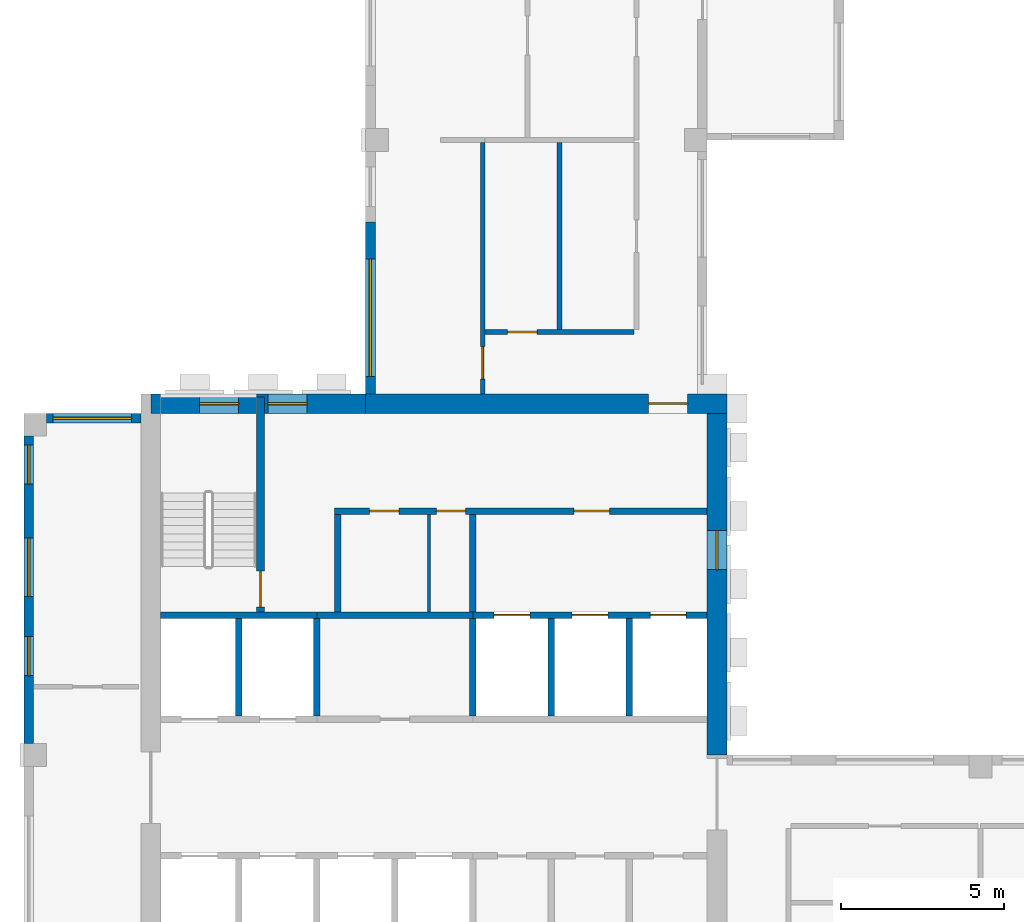
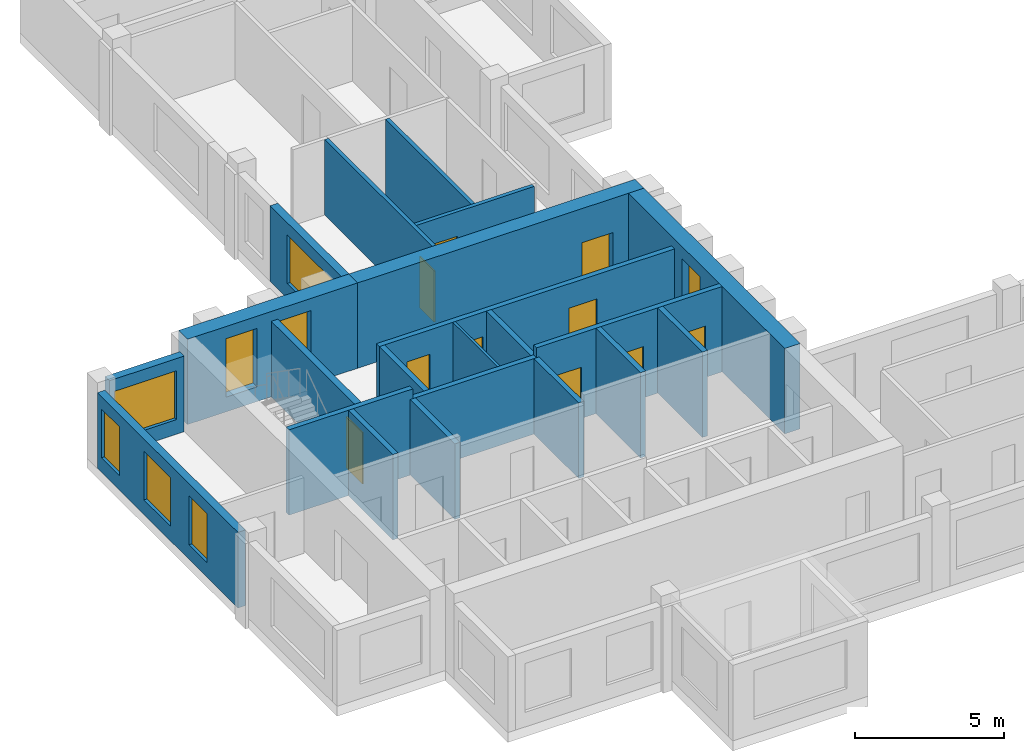
# One storey, part 3 of 10: 22 walls, 10 doors, 8 windows, 18 openings.
"""IFC4 building model written with IfcOpenShell, lengths in metres."""

from ifc_helpers import new_model, si_unit, direction, frame, frame_2d, origin, place, context, subcontext, project, spatial, rectangle, extrude, source, transform, mapped, material, layer, layer_set, type_object, element, fill, save


model = new_model("IFC4")

# Units and contexts
model_context = context("Model", 3, precision=1e-05, world=origin(), true_north=direction((0.0, 1.0)))
body_context = subcontext(model_context, "Body", "Model", "MODEL_VIEW")
ifc_project = project(units=[si_unit("LENGTHUNIT", "METRE"), si_unit("AREAUNIT", "SQUARE_METRE"), si_unit("VOLUMEUNIT", "CUBIC_METRE"), si_unit("PLANEANGLEUNIT", "RADIAN"), si_unit("MASSUNIT", "GRAM", prefix="KILO")], contexts=[model_context])

# Site, building, storey
site_placement = place(None, origin())
site = spatial("IfcSite", under=ifc_project, at=site_placement, CompositionType="ELEMENT")
building_placement = place(site_placement, origin())
building = spatial("IfcBuilding", under=site, at=building_placement, Name="Aurelian Terraces", CompositionType="ELEMENT")
storey_placement = place(building_placement, frame((0.0, 0.0, 288.0)))
storey = spatial("IfcBuildingStorey", under=building, at=storey_placement, Name="L65", CompositionType="ELEMENT", Elevation=288.0)

# Wall, opening, window
ifc_material_1 = material(Name="Terracotta rainscreen cladding", Category="masonry")
ifc_layer_1 = layer(ifc_material_1, 0.3)
ifc_layer_set_1 = layer_set([ifc_layer_1], Name="EW-300")
wall_type_1 = type_object("IfcWallType", Name="EW-300", PredefinedType="STANDARD", material=ifc_layer_set_1)
wall_1_placement = place(storey_placement, frame((10.65, 26.88, 0.0), z_axis=(0.0, 0.0, 1.0), x_axis=(0.0, -1.0, 0.0)))
wall_1 = element("IfcWall", 1, at=wall_1_placement, inside=storey, type_object=wall_type_1, Name="External wall L65 F06.16", PredefinedType="STANDARD", context=body_context, shape_type="SweptSolid", body=[
    extrude(rectangle(XDim=5.28, YDim=0.3, at=frame_2d((2.64, 0.0))), origin(), (0.0, 0.0, 1.0), 3.1),
])
shared_shape_1 = source(origin(), body_context, "Body", "SweptSolid", [
    extrude(rectangle(XDim=3.6, YDim=2.0, at=frame_2d((1.8, 1.0))), frame((0.0, 0.16, 0.0), z_axis=(0.0, -1.0, 0.0), x_axis=(1.0, 0.0, 0.0)), (0.0, 0.0, 1.0), 0.32),
])
opening_1_placement = place(wall_1_placement, frame((1.14, 0.0, 0.6)))
opening_1 = element("IfcOpeningElement", 2, at=opening_1_placement, cuts=wall_1, Name="Opening W3620", PredefinedType="OPENING", context=body_context, shape_type="MappedRepresentation", body=[
    mapped(shared_shape_1, transform((0.0, 0.0, 0.0), scale=1.0)),
])
ifc_material_2 = material(Name="Clear glazing", Category="glass")
window_type_1 = type_object("IfcWindowType", Name="W-3600x2000", PartitioningType="SINGLE_PANEL", PredefinedType="WINDOW", material=ifc_material_2)
shared_shape_2 = source(origin(), body_context, "Body", "SweptSolid", [
    extrude(rectangle(XDim=3.6, YDim=2.0, at=frame_2d((1.8, 1.0))), frame((0.0, 0.03, 0.0), z_axis=(0.0, -1.0, 0.0), x_axis=(1.0, 0.0, 0.0)), (0.0, 0.0, 1.0), 0.06),
])
window_1_placement = place(opening_1_placement, origin())
window_1 = element("IfcWindow", 3, at=window_1_placement, inside=storey, type_object=window_type_1, Name="Window L65 L65-F06-16-0", OverallHeight=2.0, OverallWidth=3.6, PartitioningType="SINGLE_PANEL", PredefinedType="WINDOW", context=body_context, shape_type="MappedRepresentation", body=[
    mapped(shared_shape_2, transform((0.0, 0.0, 0.0), scale=1.0)),
])
fill(opening_1, window_1)

# Wall, openings, windows
wall_2_placement = place(storey_placement, frame((0.15, 20.3, 0.0), z_axis=(0.0, 0.0, 1.0), x_axis=(0.0, -1.0, 0.0)))
wall_2 = element("IfcWall", 4, at=wall_2_placement, inside=storey, type_object=wall_type_1, Name="External wall L65 F12.22", PredefinedType="STANDARD", context=body_context, shape_type="SweptSolid", body=[
    extrude(rectangle(XDim=9.45, YDim=0.3, at=frame_2d((4.725, 0.0))), origin(), (0.0, 0.0, 1.0), 3.1),
])
shared_shape_3 = source(origin(), body_context, "Body", "SweptSolid", [
    extrude(rectangle(XDim=1.2, YDim=2.0, at=frame_2d((0.6, 1.0))), frame((0.0, 0.16, 0.0), z_axis=(0.0, -1.0, 0.0), x_axis=(1.0, 0.0, 0.0)), (0.0, 0.0, 1.0), 0.32),
])
opening_2_placement = place(wall_2_placement, frame((0.275, 0.0, 0.6)))
opening_2 = element("IfcOpeningElement", 5, at=opening_2_placement, cuts=wall_2, Name="Opening W1220", PredefinedType="OPENING", context=body_context, shape_type="MappedRepresentation", body=[
    mapped(shared_shape_3, transform((0.0, 0.0, 0.0), scale=1.0)),
])
shared_shape_4 = source(origin(), body_context, "Body", "SweptSolid", [
    extrude(rectangle(XDim=1.8, YDim=2.0, at=frame_2d((0.9, 1.0))), frame((0.0, 0.16, 0.0), z_axis=(0.0, -1.0, 0.0), x_axis=(1.0, 0.0, 0.0)), (0.0, 0.0, 1.0), 0.32),
])
opening_3_placement = place(wall_2_placement, frame((3.125, 0.0, 0.6)))
opening_3 = element("IfcOpeningElement", 6, at=opening_3_placement, cuts=wall_2, Name="Opening W1820", PredefinedType="OPENING", context=body_context, shape_type="MappedRepresentation", body=[
    mapped(shared_shape_4, transform((0.0, 0.0, 0.0), scale=1.0)),
])
opening_4_placement = place(wall_2_placement, frame((6.1563, 0.0, 0.6)))
opening_4 = element("IfcOpeningElement", 7, at=opening_4_placement, cuts=wall_2, Name="Opening W1220", PredefinedType="OPENING", context=body_context, shape_type="MappedRepresentation", body=[
    mapped(shared_shape_3, transform((0.0, 0.0, 0.0), scale=1.0)),
])
window_type_2 = type_object("IfcWindowType", Name="W-1200x2000", PartitioningType="SINGLE_PANEL", PredefinedType="WINDOW", material=ifc_material_2)
shared_shape_5 = source(origin(), body_context, "Body", "SweptSolid", [
    extrude(rectangle(XDim=1.2, YDim=2.0, at=frame_2d((0.6, 1.0))), frame((0.0, 0.03, 0.0), z_axis=(0.0, -1.0, 0.0), x_axis=(1.0, 0.0, 0.0)), (0.0, 0.0, 1.0), 0.06),
])
window_2_placement = place(opening_2_placement, origin())
window_2 = element("IfcWindow", 8, at=window_2_placement, inside=storey, type_object=window_type_2, Name="Window L65 L65-F12-22-0", OverallHeight=2.0, OverallWidth=1.2, PartitioningType="SINGLE_PANEL", PredefinedType="WINDOW", context=body_context, shape_type="MappedRepresentation", body=[
    mapped(shared_shape_5, transform((0.0, 0.0, 0.0), scale=1.0)),
])
fill(opening_2, window_2)
window_3_placement = place(opening_4_placement, origin())
window_3 = element("IfcWindow", 9, at=window_3_placement, inside=storey, type_object=window_type_2, Name="Window L65 L65-F12-22-G0-56", OverallHeight=2.0, OverallWidth=1.2, PartitioningType="SINGLE_PANEL", PredefinedType="WINDOW", context=body_context, shape_type="MappedRepresentation", body=[
    mapped(shared_shape_5, transform((0.0, 0.0, 0.0), scale=1.0)),
])
fill(opening_4, window_3)
window_type_3 = type_object("IfcWindowType", Name="W-1800x2000", PartitioningType="SINGLE_PANEL", PredefinedType="WINDOW", material=ifc_material_2)
shared_shape_6 = source(origin(), body_context, "Body", "SweptSolid", [
    extrude(rectangle(XDim=1.8, YDim=2.0, at=frame_2d((0.9, 1.0))), frame((0.0, 0.03, 0.0), z_axis=(0.0, -1.0, 0.0), x_axis=(1.0, 0.0, 0.0)), (0.0, 0.0, 1.0), 0.06),
])
window_4_placement = place(opening_3_placement, origin())
window_4 = element("IfcWindow", 10, at=window_4_placement, inside=storey, type_object=window_type_3, Name="Window L65 L65-F12-22-1", OverallHeight=2.0, OverallWidth=1.8, PartitioningType="SINGLE_PANEL", PredefinedType="WINDOW", context=body_context, shape_type="MappedRepresentation", body=[
    mapped(shared_shape_6, transform((0.0, 0.0, 0.0), scale=1.0)),
])
fill(opening_3, window_4)

# Wall, opening, door
ifc_material_3 = material(Name="Concrete fc' 55 MPa", Category="concrete")
ifc_layer_2 = layer(ifc_material_3, 0.6)
ifc_layer_set_2 = layer_set([ifc_layer_2], Name="CORE WALL 600 FC55")
wall_type_2 = type_object("IfcWallType", Name="CORE WALL 600 FC55", PredefinedType="SHEAR", material=ifc_layer_set_2)
shared_shape_7 = source(origin(), body_context, "Body", "SweptSolid", [
    extrude(rectangle(XDim=11.1, YDim=0.6, at=frame_2d((5.55, 0.0))), origin(), (0.0, 0.0, 1.0), 3.5),
])
wall_3_placement = place(storey_placement, frame((10.5, 21.3, 0.0), z_axis=(0.0, 0.0, 1.0), x_axis=(1.0, 0.0, 0.0)))
wall_3 = element("IfcWall", 11, at=wall_3_placement, inside=storey, type_object=wall_type_2, Name="Core wall N L65", PredefinedType="SHEAR", context=body_context, shape_type="MappedRepresentation", body=[
    mapped(shared_shape_7, transform((0.0, 0.0, 0.0), scale=1.0)),
])
shared_shape_8 = source(origin(), body_context, "Body", "SweptSolid", [
    extrude(rectangle(XDim=1.2, YDim=2.1, at=frame_2d((0.6, 1.05))), frame((0.0, 0.31, 0.0), z_axis=(0.0, -1.0, 0.0), x_axis=(1.0, 0.0, 0.0)), (0.0, 0.0, 1.0), 0.62),
])
opening_5_placement = place(wall_3_placement, frame((8.7, 0.0, 0.0)))
opening_5 = element("IfcOpeningElement", 12, at=opening_5_placement, cuts=wall_3, Name="Opening 66825", PredefinedType="OPENING", context=body_context, shape_type="MappedRepresentation", body=[
    mapped(shared_shape_8, transform((0.0, 0.0, 0.0), scale=1.0)),
])
ifc_material_4 = material(Name="Steel door leaf", Category="steel")
door_type_1 = type_object("IfcDoorType", Name="Core fire door 1200x2100", OperationType="SINGLE_SWING_LEFT", PredefinedType="DOOR", material=ifc_material_4)
shared_shape_9 = source(origin(), body_context, "Body", "SweptSolid", [
    extrude(rectangle(XDim=1.2, YDim=2.1, at=frame_2d((0.6, 1.05))), frame((0.0, 0.025, 0.0), z_axis=(0.0, -1.0, 0.0), x_axis=(1.0, 0.0, 0.0)), (0.0, 0.0, 1.0), 0.05),
])
door_1_placement = place(opening_5_placement, origin())
door_1 = element("IfcDoor", 13, at=door_1_placement, inside=storey, type_object=door_type_1, Name="Core door 66825", OperationType="SINGLE_SWING_LEFT", OverallHeight=2.1, OverallWidth=1.2, PredefinedType="DOOR", context=body_context, shape_type="MappedRepresentation", body=[
    mapped(shared_shape_9, transform((0.0, 0.0, 0.0), scale=1.0)),
])
fill(opening_5, door_1)

# Wall, opening, window
shared_shape_10 = source(origin(), body_context, "Body", "SweptSolid", [
    extrude(rectangle(XDim=10.5, YDim=0.6, at=frame_2d((5.25, 0.0))), origin(), (0.0, 0.0, 1.0), 3.5),
])
wall_4_placement = place(storey_placement, frame((21.3, 10.5, 0.0), z_axis=(0.0, 0.0, 1.0), x_axis=(0.0, 1.0, 0.0)))
wall_4 = element("IfcWall", 14, at=wall_4_placement, inside=storey, type_object=wall_type_2, Name="Core wall E L65 exposed", PredefinedType="SHEAR", context=body_context, shape_type="MappedRepresentation", body=[
    mapped(shared_shape_10, transform((0.0, 0.0, 0.0), scale=1.0)),
])
shared_shape_11 = source(origin(), body_context, "Body", "SweptSolid", [
    extrude(rectangle(XDim=1.2, YDim=2.4, at=frame_2d((0.6, 1.2))), frame((0.0, 0.31, 0.0), z_axis=(0.0, -1.0, 0.0), x_axis=(1.0, 0.0, 0.0)), (0.0, 0.0, 1.0), 0.62),
])
opening_6_placement = place(wall_4_placement, frame((5.7, 0.0, 0.6)))
opening_6 = element("IfcOpeningElement", 15, at=opening_6_placement, cuts=wall_4, Name="Opening W-CL", PredefinedType="OPENING", context=body_context, shape_type="MappedRepresentation", body=[
    mapped(shared_shape_11, transform((0.0, 0.0, 0.0), scale=1.0)),
])
ifc_material_5 = material(Name="Fire-resisting glazing", Category="glass")
window_type_4 = type_object("IfcWindowType", Name="Core lobby window 1200x2400", PartitioningType="SINGLE_PANEL", PredefinedType="WINDOW", material=ifc_material_5)
shared_shape_12 = source(origin(), body_context, "Body", "SweptSolid", [
    extrude(rectangle(XDim=1.2, YDim=2.4, at=frame_2d((0.6, 1.2))), frame((0.0, 0.03, 0.0), z_axis=(0.0, -1.0, 0.0), x_axis=(1.0, 0.0, 0.0)), (0.0, 0.0, 1.0), 0.06),
])
window_5_placement = place(opening_6_placement, origin())
window_5 = element("IfcWindow", 16, at=window_5_placement, inside=storey, type_object=window_type_4, Name="Lobby window L65 E4", OverallHeight=2.4, OverallWidth=1.2, PartitioningType="SINGLE_PANEL", PredefinedType="WINDOW", context=body_context, shape_type="MappedRepresentation", body=[
    mapped(shared_shape_12, transform((0.0, 0.0, 0.0), scale=1.0)),
])
fill(opening_6, window_5)

# Wall, openings, windows
shared_shape_13 = source(origin(), body_context, "Body", "SweptSolid", [
    extrude(rectangle(XDim=6.6, YDim=0.6, at=frame_2d((3.3, 0.0))), origin(), (0.0, 0.0, 1.0), 3.5),
])
wall_5_placement = place(storey_placement, frame((3.9, 21.3, 0.0), z_axis=(0.0, 0.0, 1.0), x_axis=(1.0, 0.0, 0.0)))
wall_5 = element("IfcWall", 17, at=wall_5_placement, inside=storey, type_object=wall_type_2, Name="Core wall N L65 exposed", PredefinedType="SHEAR", context=body_context, shape_type="MappedRepresentation", body=[
    mapped(shared_shape_13, transform((0.0, 0.0, 0.0), scale=1.0)),
])
opening_7_placement = place(wall_5_placement, frame((1.5, 0.0, 0.6)))
opening_7 = element("IfcOpeningElement", 18, at=opening_7_placement, cuts=wall_5, Name="Opening W-CL", PredefinedType="OPENING", context=body_context, shape_type="MappedRepresentation", body=[
    mapped(shared_shape_11, transform((0.0, 0.0, 0.0), scale=1.0)),
])
opening_8_placement = place(wall_5_placement, frame((3.6, 0.0, 0.6)))
opening_8 = element("IfcOpeningElement", 19, at=opening_8_placement, cuts=wall_5, Name="Opening W-CL", PredefinedType="OPENING", context=body_context, shape_type="MappedRepresentation", body=[
    mapped(shared_shape_11, transform((0.0, 0.0, 0.0), scale=1.0)),
])
window_6_placement = place(opening_7_placement, origin())
window_6 = element("IfcWindow", 20, at=window_6_placement, inside=storey, type_object=window_type_4, Name="Lobby window L65 N5", OverallHeight=2.4, OverallWidth=1.2, PartitioningType="SINGLE_PANEL", PredefinedType="WINDOW", context=body_context, shape_type="MappedRepresentation", body=[
    mapped(shared_shape_12, transform((0.0, 0.0, 0.0), scale=1.0)),
])
fill(opening_7, window_6)
window_7_placement = place(opening_8_placement, origin())
window_7 = element("IfcWindow", 21, at=window_7_placement, inside=storey, type_object=window_type_4, Name="Lobby window L65 N6", OverallHeight=2.4, OverallWidth=1.2, PartitioningType="SINGLE_PANEL", PredefinedType="WINDOW", context=body_context, shape_type="MappedRepresentation", body=[
    mapped(shared_shape_12, transform((0.0, 0.0, 0.0), scale=1.0)),
])
fill(opening_8, window_7)

# Wall, opening, window
shared_shape_14 = source(origin(), body_context, "Body", "SweptSolid", [
    extrude(rectangle(XDim=2.9, YDim=0.3, at=frame_2d((1.45, 0.0))), origin(), (0.0, 0.0, 1.0), 3.1),
])
wall_6_placement = place(storey_placement, frame((3.6, 20.85, 0.0), z_axis=(0.0, 0.0, 1.0), x_axis=(-1.0, 0.0, 0.0)))
wall_6 = element("IfcWall", 22, at=wall_6_placement, inside=storey, type_object=wall_type_1, Name="External wall L65 F11.21", PredefinedType="STANDARD", context=body_context, shape_type="MappedRepresentation", body=[
    mapped(shared_shape_14, transform((0.0, 0.0, 0.0), scale=1.0)),
])
shared_shape_15 = source(origin(), body_context, "Body", "SweptSolid", [
    extrude(rectangle(XDim=2.4, YDim=2.0, at=frame_2d((1.2, 1.0))), frame((0.0, 0.16, 0.0), z_axis=(0.0, -1.0, 0.0), x_axis=(1.0, 0.0, 0.0)), (0.0, 0.0, 1.0), 0.32),
])
opening_9_placement = place(wall_6_placement, frame((0.3, 0.0, 0.6)))
opening_9 = element("IfcOpeningElement", 23, at=opening_9_placement, cuts=wall_6, Name="Opening W2420", PredefinedType="OPENING", context=body_context, shape_type="MappedRepresentation", body=[
    mapped(shared_shape_15, transform((0.0, 0.0, 0.0), scale=1.0)),
])
window_type_5 = type_object("IfcWindowType", Name="W-2400x2000", PartitioningType="SINGLE_PANEL", PredefinedType="WINDOW", material=ifc_material_2)
shared_shape_16 = source(origin(), body_context, "Body", "SweptSolid", [
    extrude(rectangle(XDim=2.4, YDim=2.0, at=frame_2d((1.2, 1.0))), frame((0.0, 0.03, 0.0), z_axis=(0.0, -1.0, 0.0), x_axis=(1.0, 0.0, 0.0)), (0.0, 0.0, 1.0), 0.06),
])
window_8_placement = place(opening_9_placement, origin())
window_8 = element("IfcWindow", 24, at=window_8_placement, inside=storey, type_object=window_type_5, Name="Window L65 L65-F11-21-0", OverallHeight=2.0, OverallWidth=2.4, PartitioningType="SINGLE_PANEL", PredefinedType="WINDOW", context=body_context, shape_type="MappedRepresentation", body=[
    mapped(shared_shape_16, transform((0.0, 0.0, 0.0), scale=1.0)),
])
fill(opening_9, window_8)

# Walls
ifc_material_6 = material(Name="Concrete fc' 40 MPa", Category="concrete")
ifc_layer_3 = layer(ifc_material_6, 0.2)
ifc_layer_set_3 = layer_set([ifc_layer_3], Name="Lift shaft wall 200")
wall_type_3 = type_object("IfcWallType", Name="Lift shaft wall 200", PredefinedType="SOLIDWALL", material=ifc_layer_set_3)
shared_shape_17 = source(origin(), body_context, "Body", "SweptSolid", [
    extrude(rectangle(XDim=3.0, YDim=0.2, at=frame_2d((1.5, 0.0))), origin(), (0.0, 0.0, 1.0), 3.1),
])
for number, where, z_axis, x_axis, name in (
    (25, (9.0, 11.7, 0.0), (0.0, 0.0, 1.0), (0.0, 1.0, 0.0), "L65 core wall CD-B2"),
    (26, (13.8, 11.7, 0.0), (0.0, 0.0, 1.0), (0.0, 1.0, 0.0), "L65 core wall CD-B4"),
):
    element("IfcWall", number, at=place(storey_placement, frame(where, z_axis=z_axis, x_axis=x_axis)), inside=storey, type_object=wall_type_3, Name=name, PredefinedType="SOLIDWALL", context=body_context, shape_type="MappedRepresentation", body=[
        mapped(shared_shape_17, transform((0.0, 0.0, 0.0), scale=1.0)),
    ])
shared_shape_18 = source(origin(), body_context, "Body", "SweptSolid", [
    extrude(rectangle(XDim=3.0, YDim=0.2, at=frame_2d((1.5, 0.0))), origin(), (0.0, 0.0, 1.0), 3.5),
])
for number, where, z_axis, x_axis, name in (
    (27, (6.6, 11.7, 0.0), (0.0, 0.0, 1.0), (0.0, 1.0, 0.0), "L65 core wall CD-B1"),
    (28, (16.2, 11.7, 0.0), (0.0, 0.0, 1.0), (0.0, 1.0, 0.0), "L65 core wall CD-B5"),
    (29, (18.6, 11.7, 0.0), (0.0, 0.0, 1.0), (0.0, 1.0, 0.0), "L65 core wall CD-B6"),
):
    element("IfcWall", number, at=place(storey_placement, frame(where, z_axis=z_axis, x_axis=x_axis)), inside=storey, type_object=wall_type_3, Name=name, PredefinedType="SOLIDWALL", context=body_context, shape_type="MappedRepresentation", body=[
        mapped(shared_shape_18, transform((0.0, 0.0, 0.0), scale=1.0)),
    ])
shared_shape_19 = source(origin(), body_context, "Body", "SweptSolid", [
    extrude(rectangle(XDim=4.8, YDim=0.2, at=frame_2d((2.4, 0.0))), origin(), (0.0, 0.0, 1.0), 3.5),
])
wall_7_placement = place(storey_placement, frame((4.2, 14.8, 0.0), z_axis=(0.0, 0.0, 1.0), x_axis=(1.0, 0.0, 0.0)))
element("IfcWall", 30, at=wall_7_placement, inside=storey, type_object=wall_type_3, Name="L65 core wall CF-BB1", PredefinedType="SOLIDWALL", context=body_context, shape_type="MappedRepresentation", body=[
    mapped(shared_shape_19, transform((0.0, 0.0, 0.0), scale=1.0)),
])
shared_shape_20 = source(origin(), body_context, "Body", "SweptSolid", [
    extrude(rectangle(XDim=4.8, YDim=0.2, at=frame_2d((2.4, 0.0))), origin(), (0.0, 0.0, 1.0), 3.1),
])
wall_8_placement = place(storey_placement, frame((9.0, 14.8, 0.0), z_axis=(0.0, 0.0, 1.0), x_axis=(1.0, 0.0, 0.0)))
element("IfcWall", 31, at=wall_8_placement, inside=storey, type_object=wall_type_3, Name="L65 core wall CF-BB2", PredefinedType="SOLIDWALL", context=body_context, shape_type="MappedRepresentation", body=[
    mapped(shared_shape_20, transform((0.0, 0.0, 0.0), scale=1.0)),
])

# Wall, openings, doors
shared_shape_21 = source(origin(), body_context, "Body", "SweptSolid", [
    extrude(rectangle(XDim=7.2, YDim=0.2, at=frame_2d((3.6, 0.0))), origin(), (0.0, 0.0, 1.0), 3.5),
])
wall_9_placement = place(storey_placement, frame((13.8, 14.8, 0.0), z_axis=(0.0, 0.0, 1.0), x_axis=(1.0, 0.0, 0.0)))
wall_9 = element("IfcWall", 32, at=wall_9_placement, inside=storey, type_object=wall_type_3, Name="L65 core wall CF-BB3", PredefinedType="SOLIDWALL", context=body_context, shape_type="MappedRepresentation", body=[
    mapped(shared_shape_21, transform((0.0, 0.0, 0.0), scale=1.0)),
])
shared_shape_22 = source(origin(), body_context, "Body", "SweptSolid", [
    extrude(rectangle(XDim=1.1, YDim=2.1, at=frame_2d((0.55, 1.05))), frame((0.0, 0.11, 0.0), z_axis=(0.0, -1.0, 0.0), x_axis=(1.0, 0.0, 0.0)), (0.0, 0.0, 1.0), 0.22),
])
opening_10_placement = place(wall_9_placement, frame((0.65, 0.0, 0.0)))
opening_10 = element("IfcOpeningElement", 33, at=opening_10_placement, cuts=wall_9, Name="Opening 66810", PredefinedType="OPENING", context=body_context, shape_type="MappedRepresentation", body=[
    mapped(shared_shape_22, transform((0.0, 0.0, 0.0), scale=1.0)),
])
opening_11_placement = place(wall_9_placement, frame((3.05, 0.0, 0.0)))
opening_11 = element("IfcOpeningElement", 34, at=opening_11_placement, cuts=wall_9, Name="Opening 66811", PredefinedType="OPENING", context=body_context, shape_type="MappedRepresentation", body=[
    mapped(shared_shape_22, transform((0.0, 0.0, 0.0), scale=1.0)),
])
opening_12_placement = place(wall_9_placement, frame((5.45, 0.0, 0.0)))
opening_12 = element("IfcOpeningElement", 35, at=opening_12_placement, cuts=wall_9, Name="Opening 66812", PredefinedType="OPENING", context=body_context, shape_type="MappedRepresentation", body=[
    mapped(shared_shape_22, transform((0.0, 0.0, 0.0), scale=1.0)),
])
ifc_material_7 = material(Name="Stainless steel", Category="steel")
door_type_2 = type_object("IfcDoorType", Name="Lift landing door 1100x2100", OperationType="SLIDING_TO_LEFT", PredefinedType="DOOR", material=ifc_material_7)
shared_shape_23 = source(origin(), body_context, "Body", "SweptSolid", [
    extrude(rectangle(XDim=1.1, YDim=2.1, at=frame_2d((0.55, 1.05))), frame((0.0, 0.025, 0.0), z_axis=(0.0, -1.0, 0.0), x_axis=(1.0, 0.0, 0.0)), (0.0, 0.0, 1.0), 0.05),
])
door_2_placement = place(opening_10_placement, origin())
door_2 = element("IfcDoor", 36, at=door_2_placement, inside=storey, type_object=door_type_2, Name="Lift landing door F1 L65", OperationType="SLIDING_TO_LEFT", OverallHeight=2.1, OverallWidth=1.1, PredefinedType="DOOR", context=body_context, shape_type="MappedRepresentation", body=[
    mapped(shared_shape_23, transform((0.0, 0.0, 0.0), scale=1.0)),
])
fill(opening_10, door_2)
door_3_placement = place(opening_11_placement, origin())
door_3 = element("IfcDoor", 37, at=door_3_placement, inside=storey, type_object=door_type_2, Name="Lift landing door F2 L65", OperationType="SLIDING_TO_LEFT", OverallHeight=2.1, OverallWidth=1.1, PredefinedType="DOOR", context=body_context, shape_type="MappedRepresentation", body=[
    mapped(shared_shape_23, transform((0.0, 0.0, 0.0), scale=1.0)),
])
fill(opening_11, door_3)
door_4_placement = place(opening_12_placement, origin())
door_4 = element("IfcDoor", 38, at=door_4_placement, inside=storey, type_object=door_type_2, Name="Lift landing door F3 L65", OperationType="SLIDING_TO_LEFT", OverallHeight=2.1, OverallWidth=1.1, PredefinedType="DOOR", context=body_context, shape_type="MappedRepresentation", body=[
    mapped(shared_shape_23, transform((0.0, 0.0, 0.0), scale=1.0)),
])
fill(opening_12, door_4)

# Walls
ifc_material_8 = material(Name="Gypsum board on steel studs", Category="steel")
ifc_layer_4 = layer(ifc_material_8, 0.2)
ifc_layer_set_4 = layer_set([ifc_layer_4], Name="Core partition 200")
wall_type_4 = type_object("IfcWallType", Name="Core partition 200", PredefinedType="PARTITIONING", material=ifc_layer_set_4)
shared_shape_24 = source(origin(), body_context, "Body", "SweptSolid", [
    extrude(rectangle(XDim=3.0, YDim=0.2, at=frame_2d((1.5, 0.0))), origin(), (0.0, 0.0, 1.0), 3.1),
])
for number, where, z_axis, x_axis, name in (
    (39, (9.65, 14.9, 0.0), (0.0, 0.0, 1.0), (0.0, 1.0, 0.0), "L65 core wall CP-VEST"),
    (40, (13.8, 14.9, 0.0), (0.0, 0.0, 1.0), (0.0, 1.0, 0.0), "L65 core wall CP-FFL"),
):
    element("IfcWall", number, at=place(storey_placement, frame(where, z_axis=z_axis, x_axis=x_axis)), inside=storey, type_object=wall_type_4, Name=name, PredefinedType="PARTITIONING", context=body_context, shape_type="MappedRepresentation", body=[
        mapped(shared_shape_24, transform((0.0, 0.0, 0.0), scale=1.0)),
    ])

# Wall, opening, door
ifc_layer_5 = layer(ifc_material_6, 0.25)
ifc_layer_set_5 = layer_set([ifc_layer_5], Name="Stair enclosure wall 250")
wall_type_5 = type_object("IfcWallType", Name="Stair enclosure wall 250", PredefinedType="SOLIDWALL", material=ifc_layer_set_5)
shared_shape_25 = source(origin(), body_context, "Body", "SweptSolid", [
    extrude(rectangle(XDim=6.6, YDim=0.25, at=frame_2d((3.3, 0.0))), origin(), (0.0, 0.0, 1.0), 3.1),
])
wall_10_placement = place(storey_placement, frame((7.275, 14.9, 0.0), z_axis=(0.0, 0.0, 1.0), x_axis=(0.0, 1.0, 0.0)))
wall_10 = element("IfcWall", 41, at=wall_10_placement, inside=storey, type_object=wall_type_5, Name="L65 core wall ST-S1-E", PredefinedType="SOLIDWALL", context=body_context, shape_type="MappedRepresentation", body=[
    mapped(shared_shape_25, transform((0.0, 0.0, 0.0), scale=1.0)),
])
shared_shape_26 = source(origin(), body_context, "Body", "SweptSolid", [
    extrude(rectangle(XDim=1.1, YDim=2.1, at=frame_2d((0.55, 1.05))), frame((0.0, 0.135, 0.0), z_axis=(0.0, -1.0, 0.0), x_axis=(1.0, 0.0, 0.0)), (0.0, 0.0, 1.0), 0.27),
])
opening_13_placement = place(wall_10_placement, frame((0.15, 0.0, 0.0)))
opening_13 = element("IfcOpeningElement", 42, at=opening_13_placement, cuts=wall_10, Name="Opening 66813", PredefinedType="OPENING", context=body_context, shape_type="MappedRepresentation", body=[
    mapped(shared_shape_26, transform((0.0, 0.0, 0.0), scale=1.0)),
])
door_type_3 = type_object("IfcDoorType", Name="Core fire door 1100x2100 right", OperationType="SINGLE_SWING_RIGHT", PredefinedType="DOOR", material=ifc_material_4)
door_5_placement = place(opening_13_placement, origin())
door_5 = element("IfcDoor", 43, at=door_5_placement, inside=storey, type_object=door_type_3, Name="Stair door 66813", OperationType="SINGLE_SWING_RIGHT", OverallHeight=2.1, OverallWidth=1.1, PredefinedType="DOOR", context=body_context, shape_type="MappedRepresentation", body=[
    mapped(shared_shape_23, transform((0.0, 0.0, 0.0), scale=1.0)),
])
fill(opening_13, door_5)

# Wall, openings, doors
shared_shape_27 = source(origin(), body_context, "Body", "SweptSolid", [
    extrude(rectangle(XDim=11.45, YDim=0.2, at=frame_2d((5.725, 0.0))), origin(), (0.0, 0.0, 1.0), 3.1),
])
wall_11_placement = place(storey_placement, frame((9.55, 18.0, 0.0), z_axis=(0.0, 0.0, 1.0), x_axis=(1.0, 0.0, 0.0)))
wall_11 = element("IfcWall", 44, at=wall_11_placement, inside=storey, type_object=wall_type_4, Name="L65 core wall CP-NORTH", PredefinedType="PARTITIONING", context=body_context, shape_type="MappedRepresentation", body=[
    mapped(shared_shape_27, transform((0.0, 0.0, 0.0), scale=1.0)),
])
shared_shape_28 = source(origin(), body_context, "Body", "SweptSolid", [
    extrude(rectangle(XDim=0.9, YDim=2.1, at=frame_2d((0.45, 1.05))), frame((0.0, 0.11, 0.0), z_axis=(0.0, -1.0, 0.0), x_axis=(1.0, 0.0, 0.0)), (0.0, 0.0, 1.0), 0.22),
])
opening_14_placement = place(wall_11_placement, frame((1.075, 0.0, 0.0)))
opening_14 = element("IfcOpeningElement", 45, at=opening_14_placement, cuts=wall_11, Name="Opening 66814", PredefinedType="OPENING", context=body_context, shape_type="MappedRepresentation", body=[
    mapped(shared_shape_28, transform((0.0, 0.0, 0.0), scale=1.0)),
])
opening_15_placement = place(wall_11_placement, frame((3.125, 0.0, 0.0)))
opening_15 = element("IfcOpeningElement", 46, at=opening_15_placement, cuts=wall_11, Name="Opening 66815", PredefinedType="OPENING", context=body_context, shape_type="MappedRepresentation", body=[
    mapped(shared_shape_28, transform((0.0, 0.0, 0.0), scale=1.0)),
])
opening_16_placement = place(wall_11_placement, frame((7.35, 0.0, 0.0)))
opening_16 = element("IfcOpeningElement", 47, at=opening_16_placement, cuts=wall_11, Name="Opening 66816", PredefinedType="OPENING", context=body_context, shape_type="MappedRepresentation", body=[
    mapped(shared_shape_22, transform((0.0, 0.0, 0.0), scale=1.0)),
])
door_type_4 = type_object("IfcDoorType", Name="Core service door 900x2100", OperationType="SINGLE_SWING_LEFT", PredefinedType="DOOR", material=ifc_material_4)
shared_shape_29 = source(origin(), body_context, "Body", "SweptSolid", [
    extrude(rectangle(XDim=0.9, YDim=2.1, at=frame_2d((0.45, 1.05))), frame((0.0, 0.025, 0.0), z_axis=(0.0, -1.0, 0.0), x_axis=(1.0, 0.0, 0.0)), (0.0, 0.0, 1.0), 0.05),
])
door_6_placement = place(opening_14_placement, origin())
door_6 = element("IfcDoor", 48, at=door_6_placement, inside=storey, type_object=door_type_4, Name="Room door 66814", OperationType="SINGLE_SWING_LEFT", OverallHeight=2.1, OverallWidth=0.9, PredefinedType="DOOR", context=body_context, shape_type="MappedRepresentation", body=[
    mapped(shared_shape_29, transform((0.0, 0.0, 0.0), scale=1.0)),
])
fill(opening_14, door_6)
door_type_5 = type_object("IfcDoorType", Name="Core riser door 900x2100 right", OperationType="SINGLE_SWING_RIGHT", PredefinedType="DOOR", material=ifc_material_4)
door_7_placement = place(opening_15_placement, origin())
door_7 = element("IfcDoor", 49, at=door_7_placement, inside=storey, type_object=door_type_5, Name="Room door 66815", OperationType="SINGLE_SWING_RIGHT", OverallHeight=2.1, OverallWidth=0.9, PredefinedType="DOOR", context=body_context, shape_type="MappedRepresentation", body=[
    mapped(shared_shape_29, transform((0.0, 0.0, 0.0), scale=1.0)),
])
fill(opening_15, door_7)
door_type_6 = type_object("IfcDoorType", Name="Core fire door 1100x2100", OperationType="SINGLE_SWING_LEFT", PredefinedType="DOOR", material=ifc_material_4)
door_8_placement = place(opening_16_placement, origin())
door_8 = element("IfcDoor", 50, at=door_8_placement, inside=storey, type_object=door_type_6, Name="Ff lobby door 66816", OperationType="SINGLE_SWING_LEFT", OverallHeight=2.1, OverallWidth=1.1, PredefinedType="DOOR", context=body_context, shape_type="MappedRepresentation", body=[
    mapped(shared_shape_23, transform((0.0, 0.0, 0.0), scale=1.0)),
])
fill(opening_16, door_8)

# Wall
ifc_layer_6 = layer(ifc_material_8, 0.1)
ifc_layer_set_6 = layer_set([ifc_layer_6], Name="Core partition 100")
wall_type_6 = type_object("IfcWallType", Name="Core partition 100", PredefinedType="PARTITIONING", material=ifc_layer_set_6)
shared_shape_30 = source(origin(), body_context, "Body", "SweptSolid", [
    extrude(rectangle(XDim=3.0, YDim=0.1, at=frame_2d((1.5, 0.0))), origin(), (0.0, 0.0, 1.0), 3.1),
])
wall_12_placement = place(storey_placement, frame((12.45, 14.9, 0.0), z_axis=(0.0, 0.0, 1.0), x_axis=(0.0, 1.0, 0.0)))
element("IfcWall", 51, at=wall_12_placement, inside=storey, type_object=wall_type_6, Name="L65 core wall CP-SV1", PredefinedType="PARTITIONING", context=body_context, shape_type="MappedRepresentation", body=[
    mapped(shared_shape_30, transform((0.0, 0.0, 0.0), scale=1.0)),
])

# Wall, opening, door
ifc_layer_7 = layer(ifc_material_8, 0.15)
ifc_layer_set_7 = layer_set([ifc_layer_7], Name="Partition 150")
wall_type_7 = type_object("IfcWallType", Name="Partition 150", PredefinedType="PARTITIONING", material=ifc_layer_set_7)
shared_shape_31 = source(origin(), body_context, "Body", "SweptSolid", [
    extrude(rectangle(XDim=4.575, YDim=0.15, at=frame_2d((2.2875, 0.0))), origin(), (0.0, 0.0, 1.0), 3.1),
])
wall_13_placement = place(storey_placement, frame((14.175, 23.5, 0.0), z_axis=(0.0, 0.0, 1.0), x_axis=(1.0, 0.0, 0.0)))
wall_13 = element("IfcWall", 52, at=wall_13_placement, inside=storey, type_object=wall_type_7, Name="Partition", PredefinedType="PARTITIONING", context=body_context, shape_type="MappedRepresentation", body=[
    mapped(shared_shape_31, transform((0.0, 0.0, 0.0), scale=1.0)),
])
shared_shape_32 = source(origin(), body_context, "Body", "SweptSolid", [
    extrude(rectangle(XDim=0.9, YDim=2.1, at=frame_2d((0.45, 1.05))), frame((0.0, 0.085, 0.0), z_axis=(0.0, -1.0, 0.0), x_axis=(1.0, 0.0, 0.0)), (0.0, 0.0, 1.0), 0.17),
])
opening_17_placement = place(wall_13_placement, frame((0.694, 0.0, 0.0)))
opening_17 = element("IfcOpeningElement", 53, at=opening_17_placement, cuts=wall_13, Name="Opening 765011", PredefinedType="OPENING", context=body_context, shape_type="MappedRepresentation", body=[
    mapped(shared_shape_32, transform((0.0, 0.0, 0.0), scale=1.0)),
])
ifc_material_9 = material(Name="Timber door leaf", Category="wood")
door_type_7 = type_object("IfcDoorType", Name="Room door 900x2100 left", OperationType="SINGLE_SWING_LEFT", PredefinedType="DOOR", material=ifc_material_9)
door_9_placement = place(opening_17_placement, origin())
door_9 = element("IfcDoor", 54, at=door_9_placement, inside=storey, type_object=door_type_7, Name="Door 765011", OperationType="SINGLE_SWING_LEFT", OverallHeight=2.1, OverallWidth=0.9, PredefinedType="DOOR", context=body_context, shape_type="MappedRepresentation", body=[
    mapped(shared_shape_29, transform((0.0, 0.0, 0.0), scale=1.0)),
])
fill(opening_17, door_9)

# Wall
shared_shape_33 = source(origin(), body_context, "Body", "SweptSolid", [
    extrude(rectangle(XDim=5.75, YDim=0.15, at=frame_2d((2.875, 0.0))), origin(), (0.0, 0.0, 1.0), 3.1),
])
wall_14_placement = place(storey_placement, frame((16.463, 23.575, 0.0), z_axis=(0.0, 0.0, 1.0), x_axis=(0.0, 1.0, 0.0)))
element("IfcWall", 55, at=wall_14_placement, inside=storey, type_object=wall_type_7, Name="Partition", PredefinedType="PARTITIONING", context=body_context, shape_type="MappedRepresentation", body=[
    mapped(shared_shape_33, transform((0.0, 0.0, 0.0), scale=1.0)),
])

# Wall, opening, door
shared_shape_34 = source(origin(), body_context, "Body", "SweptSolid", [
    extrude(rectangle(XDim=7.725, YDim=0.15, at=frame_2d((3.8625, 0.0))), origin(), (0.0, 0.0, 1.0), 3.1),
])
wall_15_placement = place(storey_placement, frame((14.1, 29.325, 0.0), z_axis=(0.0, 0.0, 1.0), x_axis=(0.0, -1.0, 0.0)))
wall_15 = element("IfcWall", 56, at=wall_15_placement, inside=storey, type_object=wall_type_7, Name="Partition", PredefinedType="PARTITIONING", context=body_context, shape_type="MappedRepresentation", body=[
    mapped(shared_shape_34, transform((0.0, 0.0, 0.0), scale=1.0)),
])
shared_shape_35 = source(origin(), body_context, "Body", "SweptSolid", [
    extrude(rectangle(XDim=1.0, YDim=2.1, at=frame_2d((0.5, 1.05))), frame((0.0, 0.085, 0.0), z_axis=(0.0, -1.0, 0.0), x_axis=(1.0, 0.0, 0.0)), (0.0, 0.0, 1.0), 0.17),
])
opening_18_placement = place(wall_15_placement, frame((6.275, 0.0, 0.0)))
opening_18 = element("IfcOpeningElement", 57, at=opening_18_placement, cuts=wall_15, Name="Opening 765013", PredefinedType="OPENING", context=body_context, shape_type="MappedRepresentation", body=[
    mapped(shared_shape_35, transform((0.0, 0.0, 0.0), scale=1.0)),
])
door_type_8 = type_object("IfcDoorType", Name="Room door 1000x2100 left", OperationType="SINGLE_SWING_LEFT", PredefinedType="DOOR", material=ifc_material_9)
shared_shape_36 = source(origin(), body_context, "Body", "SweptSolid", [
    extrude(rectangle(XDim=1.0, YDim=2.1, at=frame_2d((0.5, 1.05))), frame((0.0, 0.025, 0.0), z_axis=(0.0, -1.0, 0.0), x_axis=(1.0, 0.0, 0.0)), (0.0, 0.0, 1.0), 0.05),
])
door_10_placement = place(opening_18_placement, origin())
door_10 = element("IfcDoor", 58, at=door_10_placement, inside=storey, type_object=door_type_8, Name="Door 765013", OperationType="SINGLE_SWING_LEFT", OverallHeight=2.1, OverallWidth=1.0, PredefinedType="DOOR", context=body_context, shape_type="MappedRepresentation", body=[
    mapped(shared_shape_36, transform((0.0, 0.0, 0.0), scale=1.0)),
])
fill(opening_18, door_10)

save(model, "model.ifc")
